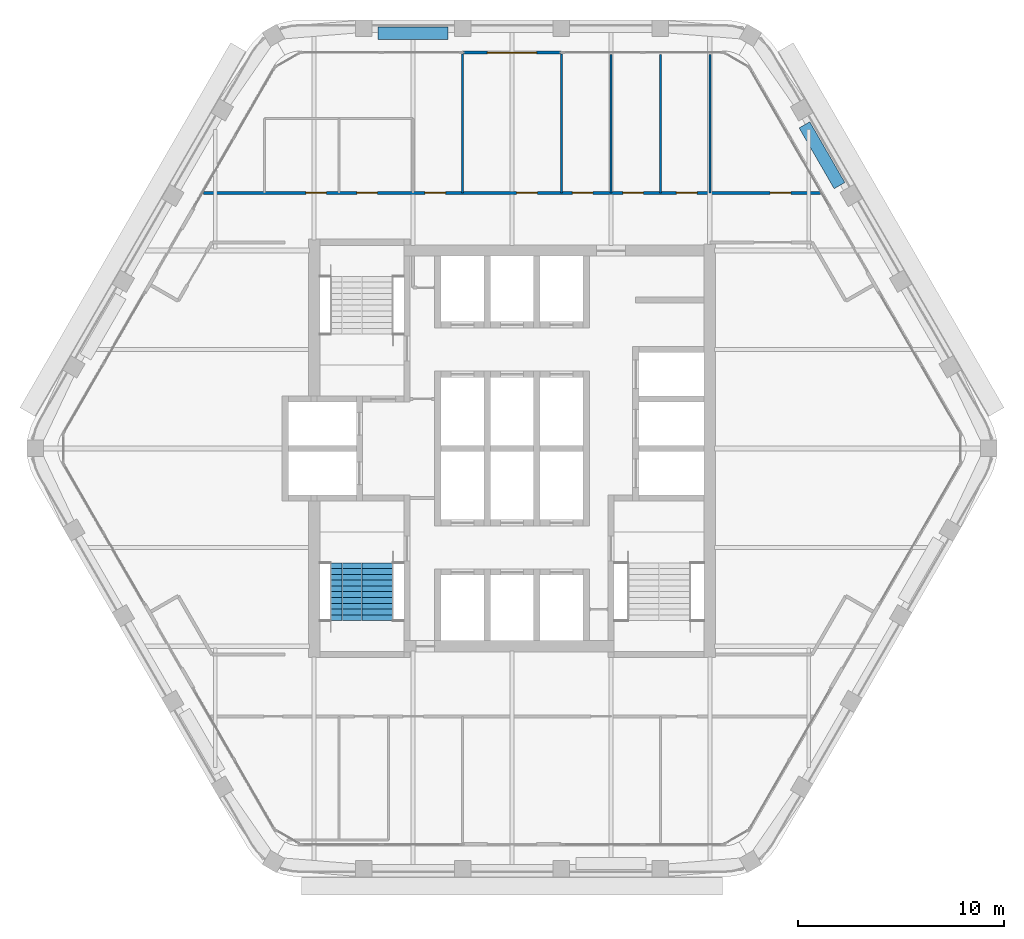
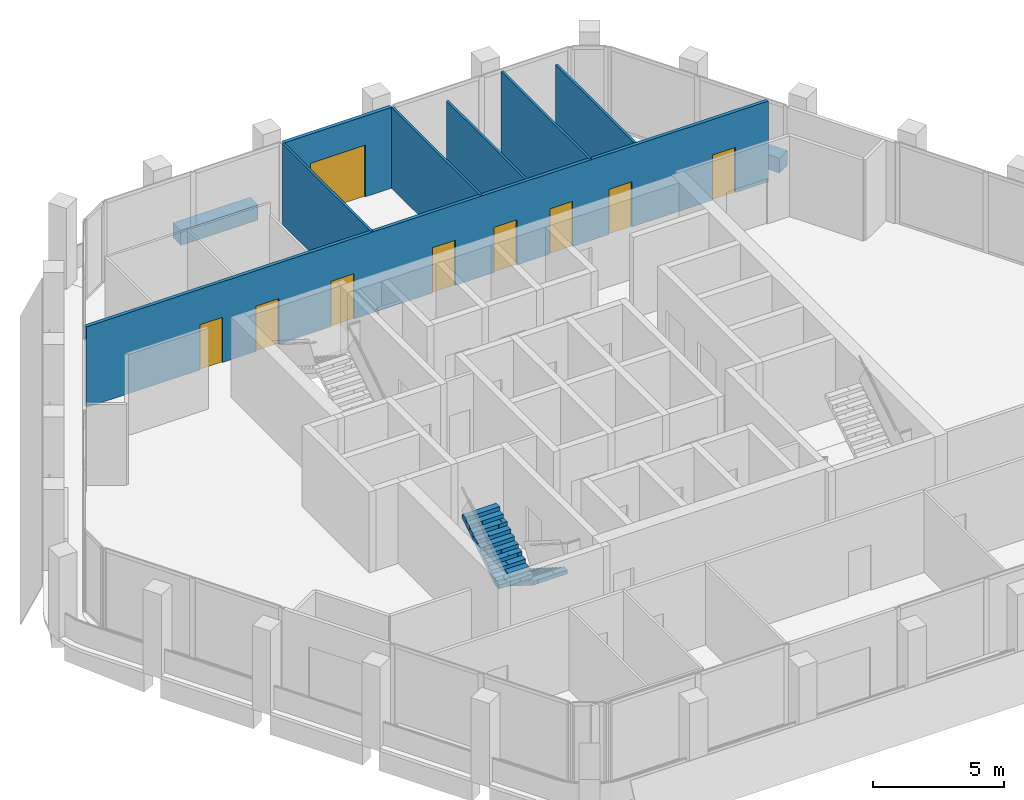
# One storey, part 10 of 13: 9 doors, 9 walls, 2 stair flights, 9 openings, 1 element without a shape of its own.
"""IFC4 building model written with IfcOpenShell, lengths in metres."""

from ifc_helpers import new_model, si_unit, direction, frame, frame_2d, origin, place, context, subcontext, project, spatial, polyline, rectangle, outline, extrude, material, layer, layer_set, type_object, element, fill, aggregate, save


model = new_model("IFC4")

# Units and contexts
model_context = context("Model", 3, precision=1e-05, world=origin(), true_north=direction((0.0, 1.0)))
body_context = subcontext(model_context, "Body", "Model", "MODEL_VIEW")
ifc_project = project(units=[si_unit("LENGTHUNIT", "METRE"), si_unit("AREAUNIT", "SQUARE_METRE"), si_unit("VOLUMEUNIT", "CUBIC_METRE"), si_unit("PLANEANGLEUNIT", "RADIAN"), si_unit("MASSUNIT", "GRAM", prefix="KILO")], contexts=[model_context])

# Site, building, storey
site_placement = place(None, origin())
site = spatial("IfcSite", under=ifc_project, at=site_placement, CompositionType="ELEMENT")
building_placement = place(site_placement, origin())
building = spatial("IfcBuilding", under=site, at=building_placement, Name="Kolab Exchange Tower", CompositionType="ELEMENT")
storey_placement = place(building_placement, frame((0.0, 0.0, 230.60009765625)))
storey = spatial("IfcBuildingStorey", under=building, at=storey_placement, Name="L50", CompositionType="ELEMENT", Elevation=230.60009765625)

# Wall, opening, door
ifc_material_1 = material(Name="Aluminium EN AW-6063 T6", Category="aluminium")
ifc_layer_1 = layer(ifc_material_1, 0.159912109375)
ifc_layer_set_1 = layer_set([ifc_layer_1], Name="Aluminium EN AW-6063 T6")
wall_type_1 = type_object("IfcWallType", Name="DOOR SURROUND WALL 160 ALUMINIUM FRAMED", PredefinedType="PARTITIONING", material=ifc_layer_set_1)
wall_1_placement = place(storey_placement, frame((-2.3701171875, 19.20458984375, 0.0), z_axis=(0.0, 0.0, 1.0), x_axis=(1.0, 0.0, 0.0)))
wall_1 = element("IfcWall", 1, at=wall_1_placement, inside=storey, type_object=wall_type_1, Name="Door surround wall", PredefinedType="PARTITIONING", context=body_context, shape_type="SweptSolid", body=[
    extrude(rectangle(XDim=4.740234375, YDim=0.159912109375, at=frame_2d((2.3701171875, 0.0))), origin(), (0.0, 0.0, 1.0), 3.75),
])
opening_1_placement = place(wall_1_placement, frame((1.169921875, 0.0, 0.0)))
opening_1 = element("IfcOpeningElement", 2, at=opening_1_placement, cuts=wall_1, Name="Opening GD1-089", PredefinedType="OPENING", context=body_context, shape_type="SweptSolid", body=[
    extrude(rectangle(XDim=2.39990234375, YDim=2.39990234375, at=frame_2d((1.199951171875, 1.199951171875))), frame((0.0, 0.08984375, 0.0), z_axis=(0.0, -1.0, 0.0), x_axis=(1.0, 0.0, 0.0)), (0.0, 0.0, 1.0), 0.179931640625),
])
door_type_1 = type_object("IfcDoorType", Name="LOGGIA SLIDING GLASS DOOR 2400 X 2400", OperationType="DOUBLE_DOOR_SINGLE_SWING", PredefinedType="DOOR", material=ifc_material_1)
door_1_placement = place(opening_1_placement, origin())
door_1 = element("IfcDoor", 3, at=door_1_placement, inside=storey, type_object=door_type_1, Name="Loggia door", OperationType="DOUBLE_DOOR_SLIDING", OverallHeight=2.39990234375, OverallWidth=2.39990234375, PredefinedType="DOOR", context=body_context, shape_type="SweptSolid", body=[
    extrude(rectangle(XDim=2.39990234375, YDim=2.39990234375, at=frame_2d((1.199951171875, 1.199951171875))), frame((0.0, 0.02490234375, 0.0), z_axis=(0.0, -1.0, 0.0), x_axis=(1.0, 0.0, 0.0)), (0.0, 0.0, 1.0), 0.050048828125),
])
fill(opening_1, door_1)

# Walls
ifc_material_2 = material(Name="Gypsum board", Category="gypsum")
ifc_layer_2 = layer(ifc_material_2, 0.10009765625)
ifc_layer_set_2 = layer_set([ifc_layer_2], Name="Gypsum board")
wall_type_2 = type_object("IfcWallType", Name="PARTITION 100", PredefinedType="PARTITIONING", material=ifc_layer_set_2)
wall_2_placement = place(storey_placement, frame((9.60009765625, 12.39990234375, 0.0), z_axis=(0.0, 0.0, 1.0), x_axis=(0.0, 1.0, 0.0)))
element("IfcWall", 4, at=wall_2_placement, inside=storey, type_object=wall_type_2, Name="Partition 000", PredefinedType="PARTITIONING", context=body_context, shape_type="SweptSolid", body=[
    extrude(rectangle(XDim=6.714599609375, YDim=0.10009765625, at=frame_2d((3.357421875, 0.0))), origin(), (0.0, 0.0, 1.0), 3.216796875),
])
wall_3_placement = place(storey_placement, frame((7.199951171875, 12.39990234375, 0.0), z_axis=(0.0, 0.0, 1.0), x_axis=(0.0, 1.0, 0.0)))
element("IfcWall", 5, at=wall_3_placement, inside=storey, type_object=wall_type_2, Name="Partition 002", PredefinedType="PARTITIONING", context=body_context, shape_type="SweptSolid", body=[
    extrude(rectangle(XDim=6.714599609375, YDim=0.10009765625, at=frame_2d((3.357421875, 0.0))), origin(), (0.0, 0.0, 1.0), 3.75),
])
wall_4_placement = place(storey_placement, frame((4.800048828125, 12.39990234375, 0.0), z_axis=(0.0, 0.0, 1.0), x_axis=(0.0, 1.0, 0.0)))
element("IfcWall", 6, at=wall_4_placement, inside=storey, type_object=wall_type_2, Name="Partition 003", PredefinedType="PARTITIONING", context=body_context, shape_type="SweptSolid", body=[
    extrude(rectangle(XDim=6.714599609375, YDim=0.10009765625, at=frame_2d((3.357421875, 0.0))), origin(), (0.0, 0.0, 1.0), 3.216796875),
])
for number, where, z_axis, x_axis, name in (
    (7, (2.39990234375, 12.39990234375, 0.0), (0.0, 0.0, 1.0), (0.0, 1.0, 0.0), "Partition 004"),
    (8, (-2.39990234375, 12.39990234375, 0.0), (0.0, 0.0, 1.0), (0.0, 1.0, 0.0), "Partition 006"),
):
    element("IfcWall", number, at=place(storey_placement, frame(where, z_axis=z_axis, x_axis=x_axis)), inside=storey, type_object=wall_type_2, Name=name, PredefinedType="PARTITIONING", context=body_context, shape_type="SweptSolid", body=[
        extrude(rectangle(XDim=6.724609375, YDim=0.10009765625, at=frame_2d((3.3623046875, 0.0))), origin(), (0.0, 0.0, 1.0), 3.75),
    ])

# Wall, openings, doors
ifc_layer_3 = layer(ifc_material_2, 0.14990234375)
ifc_layer_set_3 = layer_set([ifc_layer_3], Name="Gypsum board")
wall_type_3 = type_object("IfcWallType", Name="PARTITION 150 FIRE-RATED", PredefinedType="PARTITIONING", material=ifc_layer_set_3)
wall_5_placement = place(storey_placement, frame((-14.97021484375, 12.39990234375, 0.0), z_axis=(0.0, 0.0, 1.0), x_axis=(1.0, 0.0, 0.0)))
wall_5 = element("IfcWall", 9, at=wall_5_placement, inside=storey, type_object=wall_type_3, Name="Partition 029", PredefinedType="PARTITIONING", context=body_context, shape_type="SweptSolid", body=[
    extrude(rectangle(XDim=29.9404296875, YDim=0.14990234375, at=frame_2d((14.97021484375, 0.0))), origin(), (0.0, 0.0, 1.0), 3.75),
])
opening_2_placement = place(wall_5_placement, frame((4.97021484375, 0.0, 0.0)))
opening_2 = element("IfcOpeningElement", 10, at=opening_2_placement, cuts=wall_5, Name="Opening D1-654", PredefinedType="OPENING", context=body_context, shape_type="SweptSolid", body=[
    extrude(rectangle(XDim=1.0, YDim=2.10009765625, at=frame_2d((0.5, 1.050048828125))), frame((0.0, 0.0849609375, 0.0), z_axis=(0.0, -1.0, 0.0), x_axis=(1.0, 0.0, 0.0)), (0.0, 0.0, 1.0), 0.169921875),
])
opening_3_placement = place(wall_5_placement, frame((7.4453125, 0.0, 0.0)))
opening_3 = element("IfcOpeningElement", 11, at=opening_3_placement, cuts=wall_5, Name="Opening D1-655", PredefinedType="OPENING", context=body_context, shape_type="SweptSolid", body=[
    extrude(rectangle(XDim=1.0, YDim=2.10009765625, at=frame_2d((0.5, 1.050048828125))), frame((0.0, 0.0849609375, 0.0), z_axis=(0.0, -1.0, 0.0), x_axis=(1.0, 0.0, 0.0)), (0.0, 0.0, 1.0), 0.169921875),
])
opening_4_placement = place(wall_5_placement, frame((10.7451171875, 0.0, 0.0)))
opening_4 = element("IfcOpeningElement", 12, at=opening_4_placement, cuts=wall_5, Name="Opening D1-645", PredefinedType="OPENING", context=body_context, shape_type="SweptSolid", body=[
    extrude(rectangle(XDim=1.0, YDim=2.10009765625, at=frame_2d((0.5, 1.050048828125))), frame((0.0, 0.0849609375, 0.0), z_axis=(0.0, -1.0, 0.0), x_axis=(1.0, 0.0, 0.0)), (0.0, 0.0, 1.0), 0.169921875),
])
opening_5_placement = place(wall_5_placement, frame((15.1953125, 0.0, 0.0)))
opening_5 = element("IfcOpeningElement", 13, at=opening_5_placement, cuts=wall_5, Name="Opening D1-656", PredefinedType="OPENING", context=body_context, shape_type="SweptSolid", body=[
    extrude(rectangle(XDim=1.0, YDim=2.10009765625, at=frame_2d((0.5, 1.050048828125))), frame((0.0, 0.0849609375, 0.0), z_axis=(0.0, -1.0, 0.0), x_axis=(1.0, 0.0, 0.0)), (0.0, 0.0, 1.0), 0.169921875),
])
opening_6_placement = place(wall_5_placement, frame((17.895263671875, 0.0, 0.0)))
opening_6 = element("IfcOpeningElement", 14, at=opening_6_placement, cuts=wall_5, Name="Opening D1-647", PredefinedType="OPENING", context=body_context, shape_type="SweptSolid", body=[
    extrude(rectangle(XDim=1.0, YDim=2.10009765625, at=frame_2d((0.5, 1.050048828125))), frame((0.0, 0.0849609375, 0.0), z_axis=(0.0, -1.0, 0.0), x_axis=(1.0, 0.0, 0.0)), (0.0, 0.0, 1.0), 0.169921875),
])
opening_7_placement = place(wall_5_placement, frame((20.34521484375, 0.0, 0.0)))
opening_7 = element("IfcOpeningElement", 15, at=opening_7_placement, cuts=wall_5, Name="Opening D1-657", PredefinedType="OPENING", context=body_context, shape_type="SweptSolid", body=[
    extrude(rectangle(XDim=1.0, YDim=2.10009765625, at=frame_2d((0.5, 1.050048828125))), frame((0.0, 0.0849609375, 0.0), z_axis=(0.0, -1.0, 0.0), x_axis=(1.0, 0.0, 0.0)), (0.0, 0.0, 1.0), 0.169921875),
])
opening_8_placement = place(wall_5_placement, frame((22.9453125, 0.0, 0.0)))
opening_8 = element("IfcOpeningElement", 16, at=opening_8_placement, cuts=wall_5, Name="Opening D1-649", PredefinedType="OPENING", context=body_context, shape_type="SweptSolid", body=[
    extrude(rectangle(XDim=1.0, YDim=2.10009765625, at=frame_2d((0.5, 1.050048828125))), frame((0.0, 0.0849609375, 0.0), z_axis=(0.0, -1.0, 0.0), x_axis=(1.0, 0.0, 0.0)), (0.0, 0.0, 1.0), 0.169921875),
])
opening_9_placement = place(wall_5_placement, frame((27.49658203125, 0.0, 0.0)))
opening_9 = element("IfcOpeningElement", 17, at=opening_9_placement, cuts=wall_5, Name="Opening D1-650", PredefinedType="OPENING", context=body_context, shape_type="SweptSolid", body=[
    extrude(rectangle(XDim=1.0, YDim=2.10009765625, at=frame_2d((0.5, 1.050048828125))), frame((0.0, 0.0849609375, 0.0), z_axis=(0.0, -1.0, 0.0), x_axis=(1.0, 0.0, 0.0)), (0.0, 0.0, 1.0), 0.169921875),
])
ifc_material_3 = material(Name="Steel S235", Category="steel")
door_type_2 = type_object("IfcDoorType", Name="FLUSH DOOR 1000 FD60", OperationType="SINGLE_SWING_LEFT", PredefinedType="DOOR", material=ifc_material_3)
door_2_placement = place(opening_2_placement, origin())
door_2 = element("IfcDoor", 18, at=door_2_placement, inside=storey, type_object=door_type_2, Name="Door L50-029", OperationType="SINGLE_SWING_RIGHT", OverallHeight=2.10009765625, OverallWidth=1.0, PredefinedType="DOOR", context=body_context, shape_type="SweptSolid", body=[
    extrude(rectangle(XDim=1.0, YDim=2.10009765625, at=frame_2d((0.5, 1.050048828125))), frame((0.0, 0.02490234375, 0.0), z_axis=(0.0, -1.0, 0.0), x_axis=(1.0, 0.0, 0.0)), (0.0, 0.0, 1.0), 0.050048828125),
])
fill(opening_2, door_2)
door_3_placement = place(opening_3_placement, origin())
door_3 = element("IfcDoor", 19, at=door_3_placement, inside=storey, type_object=door_type_2, Name="Door L50-030", OperationType="SINGLE_SWING_LEFT", OverallHeight=2.10009765625, OverallWidth=1.0, PredefinedType="DOOR", context=body_context, shape_type="SweptSolid", body=[
    extrude(rectangle(XDim=1.0, YDim=2.10009765625, at=frame_2d((0.5, 1.050048828125))), frame((0.0, 0.02490234375, 0.0), z_axis=(0.0, -1.0, 0.0), x_axis=(1.0, 0.0, 0.0)), (0.0, 0.0, 1.0), 0.050048828125),
])
fill(opening_3, door_3)
door_4_placement = place(opening_4_placement, origin())
door_4 = element("IfcDoor", 20, at=door_4_placement, inside=storey, type_object=door_type_2, Name="Door L50-031", OperationType="SINGLE_SWING_LEFT", OverallHeight=2.10009765625, OverallWidth=1.0, PredefinedType="DOOR", context=body_context, shape_type="SweptSolid", body=[
    extrude(rectangle(XDim=1.0, YDim=2.10009765625, at=frame_2d((0.5, 1.050048828125))), frame((0.0, 0.02490234375, 0.0), z_axis=(0.0, -1.0, 0.0), x_axis=(1.0, 0.0, 0.0)), (0.0, 0.0, 1.0), 0.050048828125),
])
fill(opening_4, door_4)
door_5_placement = place(opening_5_placement, origin())
door_5 = element("IfcDoor", 21, at=door_5_placement, inside=storey, type_object=door_type_2, Name="Door L50-032", OperationType="SINGLE_SWING_RIGHT", OverallHeight=2.10009765625, OverallWidth=1.0, PredefinedType="DOOR", context=body_context, shape_type="SweptSolid", body=[
    extrude(rectangle(XDim=1.0, YDim=2.10009765625, at=frame_2d((0.5, 1.050048828125))), frame((0.0, 0.02490234375, 0.0), z_axis=(0.0, -1.0, 0.0), x_axis=(1.0, 0.0, 0.0)), (0.0, 0.0, 1.0), 0.050048828125),
])
fill(opening_5, door_5)
door_6_placement = place(opening_6_placement, origin())
door_6 = element("IfcDoor", 22, at=door_6_placement, inside=storey, type_object=door_type_2, Name="Door L50-033", OperationType="SINGLE_SWING_LEFT", OverallHeight=2.10009765625, OverallWidth=1.0, PredefinedType="DOOR", context=body_context, shape_type="SweptSolid", body=[
    extrude(rectangle(XDim=1.0, YDim=2.10009765625, at=frame_2d((0.5, 1.050048828125))), frame((0.0, 0.02490234375, 0.0), z_axis=(0.0, -1.0, 0.0), x_axis=(1.0, 0.0, 0.0)), (0.0, 0.0, 1.0), 0.050048828125),
])
fill(opening_6, door_6)
door_7_placement = place(opening_7_placement, origin())
door_7 = element("IfcDoor", 23, at=door_7_placement, inside=storey, type_object=door_type_2, Name="Door L50-034", OperationType="SINGLE_SWING_LEFT", OverallHeight=2.10009765625, OverallWidth=1.0, PredefinedType="DOOR", context=body_context, shape_type="SweptSolid", body=[
    extrude(rectangle(XDim=1.0, YDim=2.10009765625, at=frame_2d((0.5, 1.050048828125))), frame((0.0, 0.02490234375, 0.0), z_axis=(0.0, -1.0, 0.0), x_axis=(1.0, 0.0, 0.0)), (0.0, 0.0, 1.0), 0.050048828125),
])
fill(opening_7, door_7)
door_8_placement = place(opening_8_placement, origin())
door_8 = element("IfcDoor", 24, at=door_8_placement, inside=storey, type_object=door_type_2, Name="Door L50-035", OperationType="SINGLE_SWING_RIGHT", OverallHeight=2.10009765625, OverallWidth=1.0, PredefinedType="DOOR", context=body_context, shape_type="SweptSolid", body=[
    extrude(rectangle(XDim=1.0, YDim=2.10009765625, at=frame_2d((0.5, 1.050048828125))), frame((0.0, 0.02490234375, 0.0), z_axis=(0.0, -1.0, 0.0), x_axis=(1.0, 0.0, 0.0)), (0.0, 0.0, 1.0), 0.050048828125),
])
fill(opening_8, door_8)
door_9_placement = place(opening_9_placement, origin())
door_9 = element("IfcDoor", 25, at=door_9_placement, inside=storey, type_object=door_type_2, Name="Door L50-036", OperationType="SINGLE_SWING_RIGHT", OverallHeight=2.10009765625, OverallWidth=1.0, PredefinedType="DOOR", context=body_context, shape_type="SweptSolid", body=[
    extrude(rectangle(XDim=1.0, YDim=2.10009765625, at=frame_2d((0.5, 1.050048828125))), frame((0.0, 0.02490234375, 0.0), z_axis=(0.0, -1.0, 0.0), x_axis=(1.0, 0.0, 0.0)), (0.0, 0.0, 1.0), 0.050048828125),
])
fill(opening_9, door_9)

# Walls
ifc_material_4 = material(Name="Granite facing", Category="masonry")
ifc_layer_4 = layer(ifc_material_4, 0.0400390625)
ifc_material_5 = material(Name="Concrete C40/50 precast", Category="concrete")
ifc_layer_5 = layer(ifc_material_5, 0.56005859375)
ifc_layer_set_4 = layer_set([ifc_layer_4, ifc_layer_5], Name="Concrete C40/50 precast")
wall_type_4 = type_object("IfcWallType", Name="PLANTER BOX 600 X 700 SOIL DEPTH 550", PredefinedType="USERDEFINED", material=ifc_layer_set_4)
wall_6_placement = place(storey_placement, frame((-6.5, 20.134521484375, 0.0), z_axis=(0.0, 0.0, 1.0), x_axis=(1.0, 0.0, 0.0)))
element("IfcWall", 26, at=wall_6_placement, inside=storey, type_object=wall_type_4, Name="Planter", ObjectType="PLANTER", PredefinedType="USERDEFINED", context=body_context, shape_type="SweptSolid", body=[
    extrude(rectangle(XDim=3.39990234375, YDim=0.60009765625, at=frame_2d((1.699951171875, 0.0))), origin(), (0.0, 0.0, 1.0), 0.699951171875),
])
wall_7_placement = place(storey_placement, frame((14.18701171875, 15.696533203125, 0.0), z_axis=(0.0, 0.0, 1.0), x_axis=(0.499977295307, -0.866038511948, 0.0)))
element("IfcWall", 27, at=wall_7_placement, inside=storey, type_object=wall_type_4, Name="Planter", ObjectType="PLANTER", PredefinedType="USERDEFINED", context=body_context, shape_type="SweptSolid", body=[
    extrude(rectangle(XDim=3.400146484375, YDim=0.60009765625, at=frame_2d((1.7001953125, 0.0))), origin(), (0.0, 0.0, 1.0), 0.699951171875),
])

# Stair, stair flights
ifc_material_6 = material(Name="Concrete C50/60", Category="concrete")
stair_type = type_object("IfcStairType", Name="STAIR ST3 RISER 177.3", PredefinedType="HALF_TURN_STAIR", material=ifc_material_6)
stair_placement = place(storey_placement, origin())
stair = element("IfcStair", 28, at=stair_placement, inside=storey, type_object=stair_type, Name="Stair 3", PredefinedType="HALF_TURN_STAIR")
stair_flight_type = type_object("IfcStairFlightType", Name="STAIR FLIGHT 1500 RISER 177.3", PredefinedType="STRAIGHT", material=ifc_material_6)
stair_flight_1_placement = place(storey_placement, frame((-6.527587890625, -5.550048828125, 0.0), z_axis=(0.0, 0.0, 1.0), x_axis=(0.0, -1.0, 0.0)))
stair_flight_1 = element("IfcStairFlight", 29, at=stair_flight_1_placement, type_object=stair_flight_type, Name="ST3 flight 1", NumberOfRisers=11, NumberOfTreads=10, PredefinedType="STRAIGHT", RiserHeight=0.177272727, TreadLength=0.28, context=body_context, shape_type="SweptSolid", body=[
    extrude(outline(polyline([(0.0, 0.0), (0.0, 0.17724609375), (0.280029296875, 0.17724609375), (0.280029296875, 0.3544921875), (0.56005859375, 0.3544921875), (0.56005859375, 0.53173828125), (0.840087890625, 0.53173828125), (0.840087890625, 0.708984375), (1.1201171875, 0.708984375), (1.1201171875, 0.886474609375), (1.39990234375, 0.886474609375), (1.39990234375, 1.063720703125), (1.679931640625, 1.063720703125), (1.679931640625, 1.240966796875), (1.9599609375, 1.240966796875), (1.9599609375, 1.418212890625), (2.239990234375, 1.418212890625), (2.239990234375, 1.595458984375), (2.52001953125, 1.595458984375), (2.52001953125, 1.772705078125), (2.800048828125, 1.772705078125), (2.800048828125, 1.949951171875), (2.800048828125, 1.59521484375), (0.2802734375, 0.0), (0.0, 0.0)])), frame((0.0, 0.75, 0.0), z_axis=(0.0, -1.0, 0.0), x_axis=(1.0, 0.0, 0.0)), (0.0, 0.0, 1.0), 0.185791015625),
    extrude(outline(polyline([(0.0, 0.0), (0.0, 0.17724609375), (0.280029296875, 0.17724609375), (0.280029296875, 0.3544921875), (0.56005859375, 0.3544921875), (0.56005859375, 0.53173828125), (0.840087890625, 0.53173828125), (0.840087890625, 0.708984375), (1.1201171875, 0.708984375), (1.1201171875, 0.886474609375), (1.39990234375, 0.886474609375), (1.39990234375, 1.063720703125), (1.679931640625, 1.063720703125), (1.679931640625, 1.240966796875), (1.9599609375, 1.240966796875), (1.9599609375, 1.418212890625), (2.239990234375, 1.418212890625), (2.239990234375, 1.595458984375), (2.52001953125, 1.595458984375), (2.52001953125, 1.772705078125), (2.800048828125, 1.772705078125), (2.800048828125, 1.949951171875), (2.800048828125, 1.59521484375), (0.2802734375, 0.0), (0.0, 0.0)])), frame((0.0, 0.562255859375, 0.0), z_axis=(0.0, -1.0, 0.0), x_axis=(1.0, 0.0, 0.0)), (0.0, 0.0, 1.0), 0.185791015625),
    extrude(outline(polyline([(0.0, 0.0), (0.0, 0.17724609375), (0.280029296875, 0.17724609375), (0.280029296875, 0.3544921875), (0.56005859375, 0.3544921875), (0.56005859375, 0.53173828125), (0.840087890625, 0.53173828125), (0.840087890625, 0.708984375), (1.1201171875, 0.708984375), (1.1201171875, 0.886474609375), (1.39990234375, 0.886474609375), (1.39990234375, 1.063720703125), (1.679931640625, 1.063720703125), (1.679931640625, 1.240966796875), (1.9599609375, 1.240966796875), (1.9599609375, 1.418212890625), (2.239990234375, 1.418212890625), (2.239990234375, 1.595458984375), (2.52001953125, 1.595458984375), (2.52001953125, 1.772705078125), (2.800048828125, 1.772705078125), (2.800048828125, 1.949951171875), (2.800048828125, 1.59521484375), (0.2802734375, 0.0), (0.0, 0.0)])), frame((0.0, 0.37451171875, 0.0), z_axis=(0.0, -1.0, 0.0), x_axis=(1.0, 0.0, 0.0)), (0.0, 0.0, 1.0), 0.185791015625),
    extrude(outline(polyline([(0.0, 0.0), (0.0, 0.17724609375), (0.280029296875, 0.17724609375), (0.280029296875, 0.3544921875), (0.56005859375, 0.3544921875), (0.56005859375, 0.53173828125), (0.840087890625, 0.53173828125), (0.840087890625, 0.708984375), (1.1201171875, 0.708984375), (1.1201171875, 0.886474609375), (1.39990234375, 0.886474609375), (1.39990234375, 1.063720703125), (1.679931640625, 1.063720703125), (1.679931640625, 1.240966796875), (1.9599609375, 1.240966796875), (1.9599609375, 1.418212890625), (2.239990234375, 1.418212890625), (2.239990234375, 1.595458984375), (2.52001953125, 1.595458984375), (2.52001953125, 1.772705078125), (2.800048828125, 1.772705078125), (2.800048828125, 1.949951171875), (2.800048828125, 1.59521484375), (0.2802734375, 0.0), (0.0, 0.0)])), frame((0.0, 0.186767578125, 0.0), z_axis=(0.0, -1.0, 0.0), x_axis=(1.0, 0.0, 0.0)), (0.0, 0.0, 1.0), 0.185791015625),
    extrude(outline(polyline([(0.0, 0.0), (0.0, 0.17724609375), (0.280029296875, 0.17724609375), (0.280029296875, 0.3544921875), (0.56005859375, 0.3544921875), (0.56005859375, 0.53173828125), (0.840087890625, 0.53173828125), (0.840087890625, 0.708984375), (1.1201171875, 0.708984375), (1.1201171875, 0.886474609375), (1.39990234375, 0.886474609375), (1.39990234375, 1.063720703125), (1.679931640625, 1.063720703125), (1.679931640625, 1.240966796875), (1.9599609375, 1.240966796875), (1.9599609375, 1.418212890625), (2.239990234375, 1.418212890625), (2.239990234375, 1.595458984375), (2.52001953125, 1.595458984375), (2.52001953125, 1.772705078125), (2.800048828125, 1.772705078125), (2.800048828125, 1.949951171875), (2.800048828125, 1.59521484375), (0.2802734375, 0.0), (0.0, 0.0)])), frame((0.0, -0.0009765625, 0.0), z_axis=(0.0, -1.0, 0.0), x_axis=(1.0, 0.0, 0.0)), (0.0, 0.0, 1.0), 0.185791015625),
    extrude(outline(polyline([(0.0, 0.0), (0.0, 0.17724609375), (0.280029296875, 0.17724609375), (0.280029296875, 0.3544921875), (0.56005859375, 0.3544921875), (0.56005859375, 0.53173828125), (0.840087890625, 0.53173828125), (0.840087890625, 0.708984375), (1.1201171875, 0.708984375), (1.1201171875, 0.886474609375), (1.39990234375, 0.886474609375), (1.39990234375, 1.063720703125), (1.679931640625, 1.063720703125), (1.679931640625, 1.240966796875), (1.9599609375, 1.240966796875), (1.9599609375, 1.418212890625), (2.239990234375, 1.418212890625), (2.239990234375, 1.595458984375), (2.52001953125, 1.595458984375), (2.52001953125, 1.772705078125), (2.800048828125, 1.772705078125), (2.800048828125, 1.949951171875), (2.800048828125, 1.59521484375), (0.2802734375, 0.0), (0.0, 0.0)])), frame((0.0, -0.188720703125, 0.0), z_axis=(0.0, -1.0, 0.0), x_axis=(1.0, 0.0, 0.0)), (0.0, 0.0, 1.0), 0.185791015625),
    extrude(outline(polyline([(0.0, 0.0), (0.0, 0.17724609375), (0.280029296875, 0.17724609375), (0.280029296875, 0.3544921875), (0.56005859375, 0.3544921875), (0.56005859375, 0.53173828125), (0.840087890625, 0.53173828125), (0.840087890625, 0.708984375), (1.1201171875, 0.708984375), (1.1201171875, 0.886474609375), (1.39990234375, 0.886474609375), (1.39990234375, 1.063720703125), (1.679931640625, 1.063720703125), (1.679931640625, 1.240966796875), (1.9599609375, 1.240966796875), (1.9599609375, 1.418212890625), (2.239990234375, 1.418212890625), (2.239990234375, 1.595458984375), (2.52001953125, 1.595458984375), (2.52001953125, 1.772705078125), (2.800048828125, 1.772705078125), (2.800048828125, 1.949951171875), (2.800048828125, 1.59521484375), (0.2802734375, 0.0), (0.0, 0.0)])), frame((0.0, -0.37646484375, 0.0), z_axis=(0.0, -1.0, 0.0), x_axis=(1.0, 0.0, 0.0)), (0.0, 0.0, 1.0), 0.185791015625),
    extrude(outline(polyline([(0.0, 0.0), (0.0, 0.17724609375), (0.280029296875, 0.17724609375), (0.280029296875, 0.3544921875), (0.56005859375, 0.3544921875), (0.56005859375, 0.53173828125), (0.840087890625, 0.53173828125), (0.840087890625, 0.708984375), (1.1201171875, 0.708984375), (1.1201171875, 0.886474609375), (1.39990234375, 0.886474609375), (1.39990234375, 1.063720703125), (1.679931640625, 1.063720703125), (1.679931640625, 1.240966796875), (1.9599609375, 1.240966796875), (1.9599609375, 1.418212890625), (2.239990234375, 1.418212890625), (2.239990234375, 1.595458984375), (2.52001953125, 1.595458984375), (2.52001953125, 1.772705078125), (2.800048828125, 1.772705078125), (2.800048828125, 1.949951171875), (2.800048828125, 1.59521484375), (0.2802734375, 0.0), (0.0, 0.0)])), frame((0.0, -0.564208984375, 0.0), z_axis=(0.0, -1.0, 0.0), x_axis=(1.0, 0.0, 0.0)), (0.0, 0.0, 1.0), 0.185791015625),
])
stair_flight_2_placement = place(storey_placement, frame((-8.047607421875, -8.35009765625, 1.949951171875), z_axis=(0.0, 0.0, 1.0), x_axis=(0.0, 1.0, 0.0)))
stair_flight_2 = element("IfcStairFlight", 30, at=stair_flight_2_placement, type_object=stair_flight_type, Name="ST3 flight 2", NumberOfRisers=11, NumberOfTreads=10, PredefinedType="STRAIGHT", RiserHeight=0.177272727, TreadLength=0.28, context=body_context, shape_type="SweptSolid", body=[
    extrude(outline(polyline([(0.0, 0.0), (0.0, 0.17724609375), (0.280029296875, 0.17724609375), (0.280029296875, 0.3544921875), (0.56005859375, 0.3544921875), (0.56005859375, 0.53173828125), (0.840087890625, 0.53173828125), (0.840087890625, 0.708984375), (1.1201171875, 0.708984375), (1.1201171875, 0.886474609375), (1.39990234375, 0.886474609375), (1.39990234375, 1.063720703125), (1.679931640625, 1.063720703125), (1.679931640625, 1.240966796875), (1.9599609375, 1.240966796875), (1.9599609375, 1.418212890625), (2.239990234375, 1.418212890625), (2.239990234375, 1.595458984375), (2.52001953125, 1.595458984375), (2.52001953125, 1.772705078125), (2.800048828125, 1.772705078125), (2.800048828125, 1.949951171875), (2.800048828125, 1.59521484375), (0.2802734375, 0.0), (0.0, 0.0)])), frame((0.0, 0.75, 0.0), z_axis=(0.0, -1.0, 0.0), x_axis=(1.0, 0.0, 0.0)), (0.0, 0.0, 1.0), 0.185791015625),
    extrude(outline(polyline([(0.0, 0.0), (0.0, 0.17724609375), (0.280029296875, 0.17724609375), (0.280029296875, 0.3544921875), (0.56005859375, 0.3544921875), (0.56005859375, 0.53173828125), (0.840087890625, 0.53173828125), (0.840087890625, 0.708984375), (1.1201171875, 0.708984375), (1.1201171875, 0.886474609375), (1.39990234375, 0.886474609375), (1.39990234375, 1.063720703125), (1.679931640625, 1.063720703125), (1.679931640625, 1.240966796875), (1.9599609375, 1.240966796875), (1.9599609375, 1.418212890625), (2.239990234375, 1.418212890625), (2.239990234375, 1.595458984375), (2.52001953125, 1.595458984375), (2.52001953125, 1.772705078125), (2.800048828125, 1.772705078125), (2.800048828125, 1.949951171875), (2.800048828125, 1.59521484375), (0.2802734375, 0.0), (0.0, 0.0)])), frame((0.0, 0.562255859375, 0.0), z_axis=(0.0, -1.0, 0.0), x_axis=(1.0, 0.0, 0.0)), (0.0, 0.0, 1.0), 0.185791015625),
    extrude(outline(polyline([(0.0, 0.0), (0.0, 0.17724609375), (0.280029296875, 0.17724609375), (0.280029296875, 0.3544921875), (0.56005859375, 0.3544921875), (0.56005859375, 0.53173828125), (0.840087890625, 0.53173828125), (0.840087890625, 0.708984375), (1.1201171875, 0.708984375), (1.1201171875, 0.886474609375), (1.39990234375, 0.886474609375), (1.39990234375, 1.063720703125), (1.679931640625, 1.063720703125), (1.679931640625, 1.240966796875), (1.9599609375, 1.240966796875), (1.9599609375, 1.418212890625), (2.239990234375, 1.418212890625), (2.239990234375, 1.595458984375), (2.52001953125, 1.595458984375), (2.52001953125, 1.772705078125), (2.800048828125, 1.772705078125), (2.800048828125, 1.949951171875), (2.800048828125, 1.59521484375), (0.2802734375, 0.0), (0.0, 0.0)])), frame((0.0, 0.37451171875, 0.0), z_axis=(0.0, -1.0, 0.0), x_axis=(1.0, 0.0, 0.0)), (0.0, 0.0, 1.0), 0.185791015625),
    extrude(outline(polyline([(0.0, 0.0), (0.0, 0.17724609375), (0.280029296875, 0.17724609375), (0.280029296875, 0.3544921875), (0.56005859375, 0.3544921875), (0.56005859375, 0.53173828125), (0.840087890625, 0.53173828125), (0.840087890625, 0.708984375), (1.1201171875, 0.708984375), (1.1201171875, 0.886474609375), (1.39990234375, 0.886474609375), (1.39990234375, 1.063720703125), (1.679931640625, 1.063720703125), (1.679931640625, 1.240966796875), (1.9599609375, 1.240966796875), (1.9599609375, 1.418212890625), (2.239990234375, 1.418212890625), (2.239990234375, 1.595458984375), (2.52001953125, 1.595458984375), (2.52001953125, 1.772705078125), (2.800048828125, 1.772705078125), (2.800048828125, 1.949951171875), (2.800048828125, 1.59521484375), (0.2802734375, 0.0), (0.0, 0.0)])), frame((0.0, 0.186767578125, 0.0), z_axis=(0.0, -1.0, 0.0), x_axis=(1.0, 0.0, 0.0)), (0.0, 0.0, 1.0), 0.185791015625),
    extrude(outline(polyline([(0.0, 0.0), (0.0, 0.17724609375), (0.280029296875, 0.17724609375), (0.280029296875, 0.3544921875), (0.56005859375, 0.3544921875), (0.56005859375, 0.53173828125), (0.840087890625, 0.53173828125), (0.840087890625, 0.708984375), (1.1201171875, 0.708984375), (1.1201171875, 0.886474609375), (1.39990234375, 0.886474609375), (1.39990234375, 1.063720703125), (1.679931640625, 1.063720703125), (1.679931640625, 1.240966796875), (1.9599609375, 1.240966796875), (1.9599609375, 1.418212890625), (2.239990234375, 1.418212890625), (2.239990234375, 1.595458984375), (2.52001953125, 1.595458984375), (2.52001953125, 1.772705078125), (2.800048828125, 1.772705078125), (2.800048828125, 1.949951171875), (2.800048828125, 1.59521484375), (0.2802734375, 0.0), (0.0, 0.0)])), frame((0.0, -0.0009765625, 0.0), z_axis=(0.0, -1.0, 0.0), x_axis=(1.0, 0.0, 0.0)), (0.0, 0.0, 1.0), 0.185791015625),
    extrude(outline(polyline([(0.0, 0.0), (0.0, 0.17724609375), (0.280029296875, 0.17724609375), (0.280029296875, 0.3544921875), (0.56005859375, 0.3544921875), (0.56005859375, 0.53173828125), (0.840087890625, 0.53173828125), (0.840087890625, 0.708984375), (1.1201171875, 0.708984375), (1.1201171875, 0.886474609375), (1.39990234375, 0.886474609375), (1.39990234375, 1.063720703125), (1.679931640625, 1.063720703125), (1.679931640625, 1.240966796875), (1.9599609375, 1.240966796875), (1.9599609375, 1.418212890625), (2.239990234375, 1.418212890625), (2.239990234375, 1.595458984375), (2.52001953125, 1.595458984375), (2.52001953125, 1.772705078125), (2.800048828125, 1.772705078125), (2.800048828125, 1.949951171875), (2.800048828125, 1.59521484375), (0.2802734375, 0.0), (0.0, 0.0)])), frame((0.0, -0.188720703125, 0.0), z_axis=(0.0, -1.0, 0.0), x_axis=(1.0, 0.0, 0.0)), (0.0, 0.0, 1.0), 0.185791015625),
    extrude(outline(polyline([(0.0, 0.0), (0.0, 0.17724609375), (0.280029296875, 0.17724609375), (0.280029296875, 0.3544921875), (0.56005859375, 0.3544921875), (0.56005859375, 0.53173828125), (0.840087890625, 0.53173828125), (0.840087890625, 0.708984375), (1.1201171875, 0.708984375), (1.1201171875, 0.886474609375), (1.39990234375, 0.886474609375), (1.39990234375, 1.063720703125), (1.679931640625, 1.063720703125), (1.679931640625, 1.240966796875), (1.9599609375, 1.240966796875), (1.9599609375, 1.418212890625), (2.239990234375, 1.418212890625), (2.239990234375, 1.595458984375), (2.52001953125, 1.595458984375), (2.52001953125, 1.772705078125), (2.800048828125, 1.772705078125), (2.800048828125, 1.949951171875), (2.800048828125, 1.59521484375), (0.2802734375, 0.0), (0.0, 0.0)])), frame((0.0, -0.37646484375, 0.0), z_axis=(0.0, -1.0, 0.0), x_axis=(1.0, 0.0, 0.0)), (0.0, 0.0, 1.0), 0.185791015625),
    extrude(outline(polyline([(0.0, 0.0), (0.0, 0.17724609375), (0.280029296875, 0.17724609375), (0.280029296875, 0.3544921875), (0.56005859375, 0.3544921875), (0.56005859375, 0.53173828125), (0.840087890625, 0.53173828125), (0.840087890625, 0.708984375), (1.1201171875, 0.708984375), (1.1201171875, 0.886474609375), (1.39990234375, 0.886474609375), (1.39990234375, 1.063720703125), (1.679931640625, 1.063720703125), (1.679931640625, 1.240966796875), (1.9599609375, 1.240966796875), (1.9599609375, 1.418212890625), (2.239990234375, 1.418212890625), (2.239990234375, 1.595458984375), (2.52001953125, 1.595458984375), (2.52001953125, 1.772705078125), (2.800048828125, 1.772705078125), (2.800048828125, 1.949951171875), (2.800048828125, 1.59521484375), (0.2802734375, 0.0), (0.0, 0.0)])), frame((0.0, -0.564208984375, 0.0), z_axis=(0.0, -1.0, 0.0), x_axis=(1.0, 0.0, 0.0)), (0.0, 0.0, 1.0), 0.185791015625),
])
aggregate(stair, [stair_flight_1, stair_flight_2])

save(model, "model.ifc")
